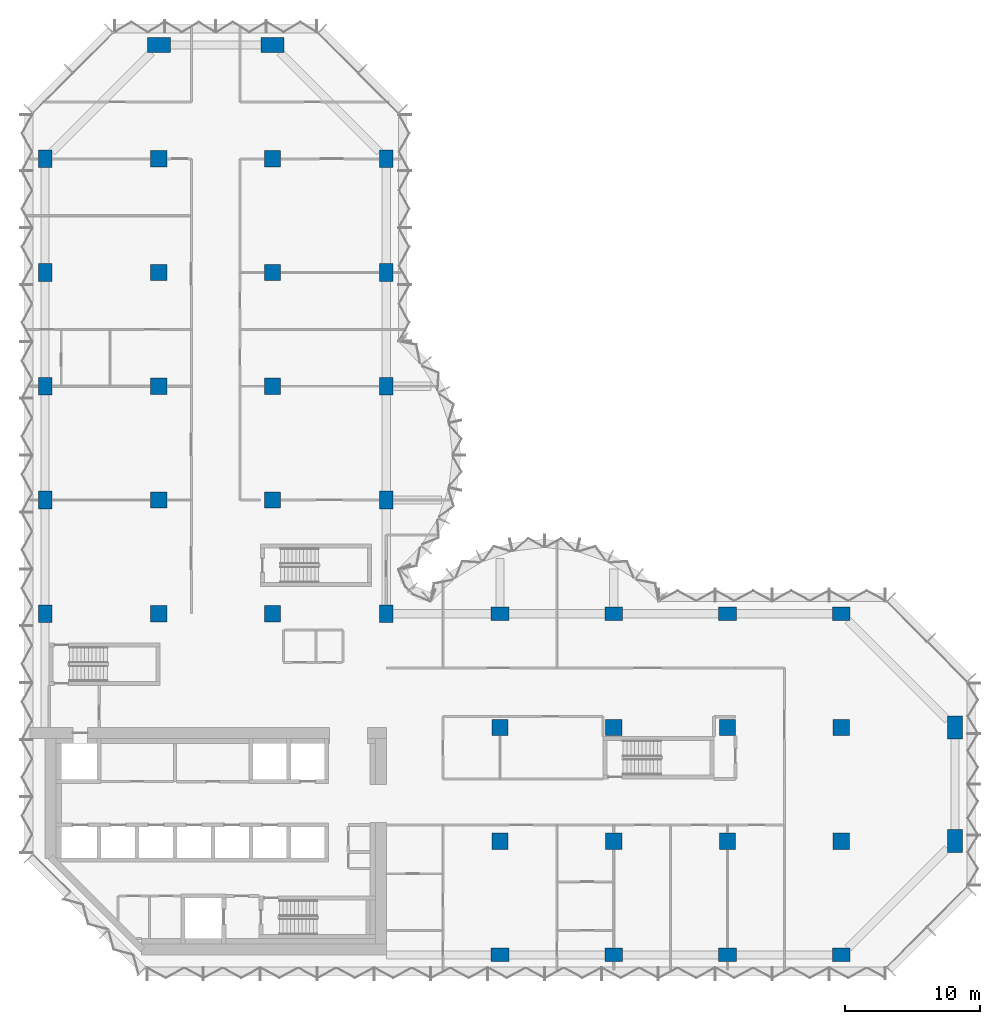
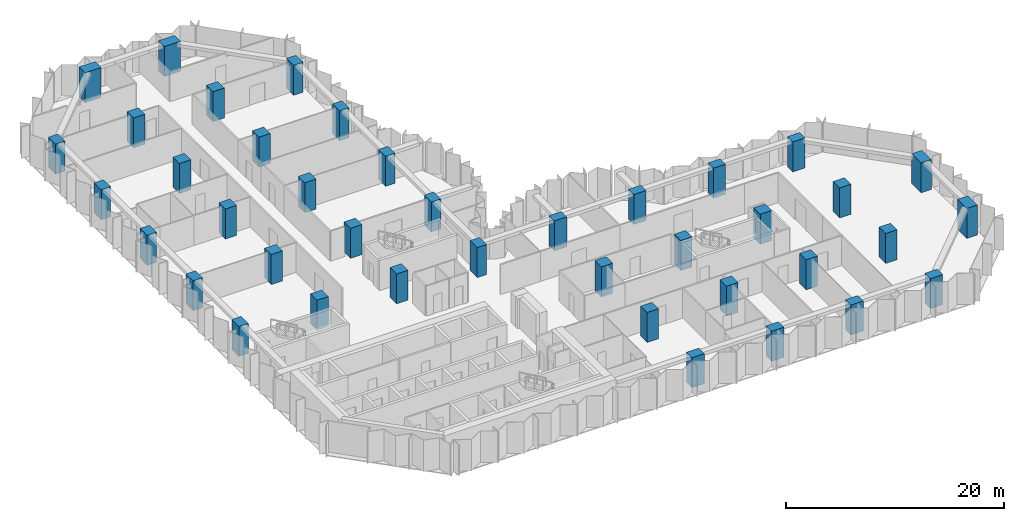
# One storey, part 1 of 13: 40 columns.
"""IFC4 building model written with IfcOpenShell, lengths in metres."""

from ifc_helpers import new_model, si_unit, direction, frame, origin, origin_2d, place, context, subcontext, project, spatial, rectangle, extrude, material, material_profile, profile_set, type_object, element, save


model = new_model("IFC4")

# Units and contexts
model_context = context("Model", 3, precision=1e-05, world=origin(), true_north=direction((0.0, 1.0)))
body_context = subcontext(model_context, "Body", "Model", "MODEL_VIEW")
ifc_project = project(units=[si_unit("LENGTHUNIT", "METRE"), si_unit("AREAUNIT", "SQUARE_METRE"), si_unit("VOLUMEUNIT", "CUBIC_METRE"), si_unit("PLANEANGLEUNIT", "RADIAN"), si_unit("MASSUNIT", "GRAM", prefix="KILO")], contexts=[model_context])

# Site, building, storey
site_placement = place(None, origin())
site = spatial("IfcSite", under=ifc_project, at=site_placement, CompositionType="ELEMENT")
building_placement = place(site_placement, origin())
building = spatial("IfcBuilding", under=site, at=building_placement, Name="Brevane Broadcast Tower", CompositionType="ELEMENT")
storey_placement = place(building_placement, frame((0.0, 0.0, 106.10009765625)))
storey = spatial("IfcBuildingStorey", under=building, at=storey_placement, Name="L25", CompositionType="ELEMENT", Elevation=106.10009765625)

# Columns
ifc_material = material(Name="Concrete C60/75", Category="concrete")
ifc_material_profile_1 = material_profile(ifc_material, rectangle(XDim=1.0, YDim=1.300048828125, at=origin_2d()), Name="RC 1000x1300")
ifc_profile_set_1 = profile_set([ifc_material_profile_1], Name="Concrete C60/75")
column_type_1 = type_object("IfcColumnType", Name="RC COLUMN EDGE 1000x1300 C60/75", PredefinedType="COLUMN", material=ifc_profile_set_1)
for number, where, z_axis, x_axis, name in (
    (1, (0.0, 25.199951171875, 0.0), (0.0, 0.0, 1.0), (1.0, 0.0, 0.0), "CE8 1/D"),
    (2, (0.0, 33.60009765625, 0.0), (0.0, 0.0, 1.0), (1.0, 0.0, 0.0), "CE8 1/E"),
    (3, (0.0, 42.0, 0.0), (0.0, 0.0, 1.0), (1.0, 0.0, 0.0), "CE8 1/F"),
    (4, (0.0, 50.39990234375, 0.0), (0.0, 0.0, 1.0), (1.0, 0.0, 0.0), "CE8 1/G"),
    (5, (0.0, 58.800048828125, 0.0), (0.0, 0.0, 1.0), (1.0, 0.0, 0.0), "CE8 1/H"),
    (6, (25.199951171875, 25.199951171875, 0.0), (0.0, 0.0, 1.0), (1.0, 0.0, 0.0), "CE8 4/D"),
    (7, (25.199951171875, 33.60009765625, 0.0), (0.0, 0.0, 1.0), (1.0, 0.0, 0.0), "CE8 4/E"),
    (8, (25.199951171875, 42.0, 0.0), (0.0, 0.0, 1.0), (1.0, 0.0, 0.0), "CE8 4/F"),
    (9, (25.199951171875, 50.39990234375, 0.0), (0.0, 0.0, 1.0), (1.0, 0.0, 0.0), "CE8 4/G"),
    (10, (25.199951171875, 58.800048828125, 0.0), (0.0, 0.0, 1.0), (1.0, 0.0, 0.0), "CE8 4/H"),
    (11, (33.60009765625, 0.0, 0.0), (0.0, 0.0, 1.0), (0.0, 1.0, 0.0), "CE8 5/A"),
    (12, (33.60009765625, 25.199951171875, 0.0), (0.0, 0.0, 1.0), (0.0, 1.0, 0.0), "CE8 5/D"),
    (13, (42.0, 0.0, 0.0), (0.0, 0.0, 1.0), (0.0, 1.0, 0.0), "CE8 6/A"),
    (14, (42.0, 25.199951171875, 0.0), (0.0, 0.0, 1.0), (0.0, 1.0, 0.0), "CE8 6/D"),
    (15, (50.39990234375, 0.0, 0.0), (0.0, 0.0, 1.0), (0.0, 1.0, 0.0), "CE8 7/A"),
    (16, (50.39990234375, 25.199951171875, 0.0), (0.0, 0.0, 1.0), (0.0, 1.0, 0.0), "CE8 7/D"),
    (17, (58.800048828125, 0.0, 0.0), (0.0, 0.0, 1.0), (0.0, 1.0, 0.0), "CE8 8/A"),
    (18, (58.800048828125, 25.199951171875, 0.0), (0.0, 0.0, 1.0), (0.0, 1.0, 0.0), "CE8 8/D"),
):
    element("IfcColumn", number, at=place(storey_placement, frame(where, z_axis=z_axis, x_axis=x_axis)), inside=storey, type_object=column_type_1, Name=name, PredefinedType="COLUMN", context=body_context, shape_type="SweptSolid", body=[
        extrude(rectangle(XDim=1.0, YDim=1.300048828125, at=origin_2d()), origin(), (0.0, 0.0, 1.0), 3.349853515625),
    ])
ifc_material_profile_2 = material_profile(ifc_material, rectangle(XDim=1.199951171875, YDim=1.199951171875, at=origin_2d()), Name="RC 1200x1200")
ifc_profile_set_2 = profile_set([ifc_material_profile_2], Name="Concrete C60/75")
column_type_2 = type_object("IfcColumnType", Name="RC COLUMN INTERIOR 1200x1200 C60/75", PredefinedType="COLUMN", material=ifc_profile_set_2)
for number, where, z_axis, x_axis, name in (
    (19, (8.39990234375, 25.199951171875, 0.0), (0.0, 0.0, 1.0), (1.0, 0.0, 0.0), "CI9 2/D"),
    (20, (8.39990234375, 33.60009765625, 0.0), (0.0, 0.0, 1.0), (1.0, 0.0, 0.0), "CI9 2/E"),
    (21, (8.39990234375, 42.0, 0.0), (0.0, 0.0, 1.0), (1.0, 0.0, 0.0), "CI9 2/F"),
    (22, (8.39990234375, 50.39990234375, 0.0), (0.0, 0.0, 1.0), (1.0, 0.0, 0.0), "CI9 2/G"),
    (23, (8.39990234375, 58.800048828125, 0.0), (0.0, 0.0, 1.0), (1.0, 0.0, 0.0), "CI9 2/H"),
    (24, (16.800048828125, 25.199951171875, 0.0), (0.0, 0.0, 1.0), (1.0, 0.0, 0.0), "CI9 3/D"),
    (25, (16.800048828125, 33.60009765625, 0.0), (0.0, 0.0, 1.0), (1.0, 0.0, 0.0), "CI9 3/E"),
    (26, (16.800048828125, 42.0, 0.0), (0.0, 0.0, 1.0), (1.0, 0.0, 0.0), "CI9 3/F"),
    (27, (16.800048828125, 50.39990234375, 0.0), (0.0, 0.0, 1.0), (1.0, 0.0, 0.0), "CI9 3/G"),
    (28, (16.800048828125, 58.800048828125, 0.0), (0.0, 0.0, 1.0), (1.0, 0.0, 0.0), "CI9 3/H"),
    (29, (33.60009765625, 8.39990234375, 0.0), (0.0, 0.0, 1.0), (1.0, 0.0, 0.0), "CI9 5/B"),
    (30, (33.60009765625, 16.800048828125, 0.0), (0.0, 0.0, 1.0), (1.0, 0.0, 0.0), "CI9 5/C"),
    (31, (42.0, 8.39990234375, 0.0), (0.0, 0.0, 1.0), (1.0, 0.0, 0.0), "CI9 6/B"),
    (32, (42.0, 16.800048828125, 0.0), (0.0, 0.0, 1.0), (1.0, 0.0, 0.0), "CI9 6/C"),
    (33, (50.39990234375, 8.39990234375, 0.0), (0.0, 0.0, 1.0), (1.0, 0.0, 0.0), "CI9 7/B"),
    (34, (50.39990234375, 16.800048828125, 0.0), (0.0, 0.0, 1.0), (1.0, 0.0, 0.0), "CI9 7/C"),
    (35, (58.800048828125, 8.39990234375, 0.0), (0.0, 0.0, 1.0), (1.0, 0.0, 0.0), "CI9 8/B"),
    (36, (58.800048828125, 16.800048828125, 0.0), (0.0, 0.0, 1.0), (1.0, 0.0, 0.0), "CI9 8/C"),
):
    element("IfcColumn", number, at=place(storey_placement, frame(where, z_axis=z_axis, x_axis=x_axis)), inside=storey, type_object=column_type_2, Name=name, PredefinedType="COLUMN", context=body_context, shape_type="SweptSolid", body=[
        extrude(rectangle(XDim=1.199951171875, YDim=1.199951171875, at=origin_2d()), origin(), (0.0, 0.0, 1.0), 3.349853515625),
    ])
ifc_material_profile_3 = material_profile(ifc_material, rectangle(XDim=1.10009765625, YDim=1.699951171875, at=origin_2d()), Name="RC 1100x1700")
ifc_profile_set_3 = profile_set([ifc_material_profile_3], Name="Concrete C60/75")
column_type_3 = type_object("IfcColumnType", Name="RC COLUMN WING-END 1100x1700 C60/75", PredefinedType="COLUMN", material=ifc_profile_set_3)
for number, where, z_axis, x_axis, name in (
    (37, (8.39990234375, 67.199951171875, 0.0), (0.0, 0.0, 1.0), (0.0, 1.0, 0.0), "CW10 2/I"),
    (38, (16.800048828125, 67.199951171875, 0.0), (0.0, 0.0, 1.0), (0.0, 1.0, 0.0), "CW10 3/I"),
    (39, (67.199951171875, 8.39990234375, 0.0), (0.0, 0.0, 1.0), (1.0, 0.0, 0.0), "CW10 9/B"),
    (40, (67.199951171875, 16.800048828125, 0.0), (0.0, 0.0, 1.0), (1.0, 0.0, 0.0), "CW10 9/C"),
):
    element("IfcColumn", number, at=place(storey_placement, frame(where, z_axis=z_axis, x_axis=x_axis)), inside=storey, type_object=column_type_3, Name=name, PredefinedType="COLUMN", context=body_context, shape_type="SweptSolid", body=[
        extrude(rectangle(XDim=1.10009765625, YDim=1.699951171875, at=origin_2d()), origin(), (0.0, 0.0, 1.0), 3.349853515625),
    ])

save(model, "model.ifc")
